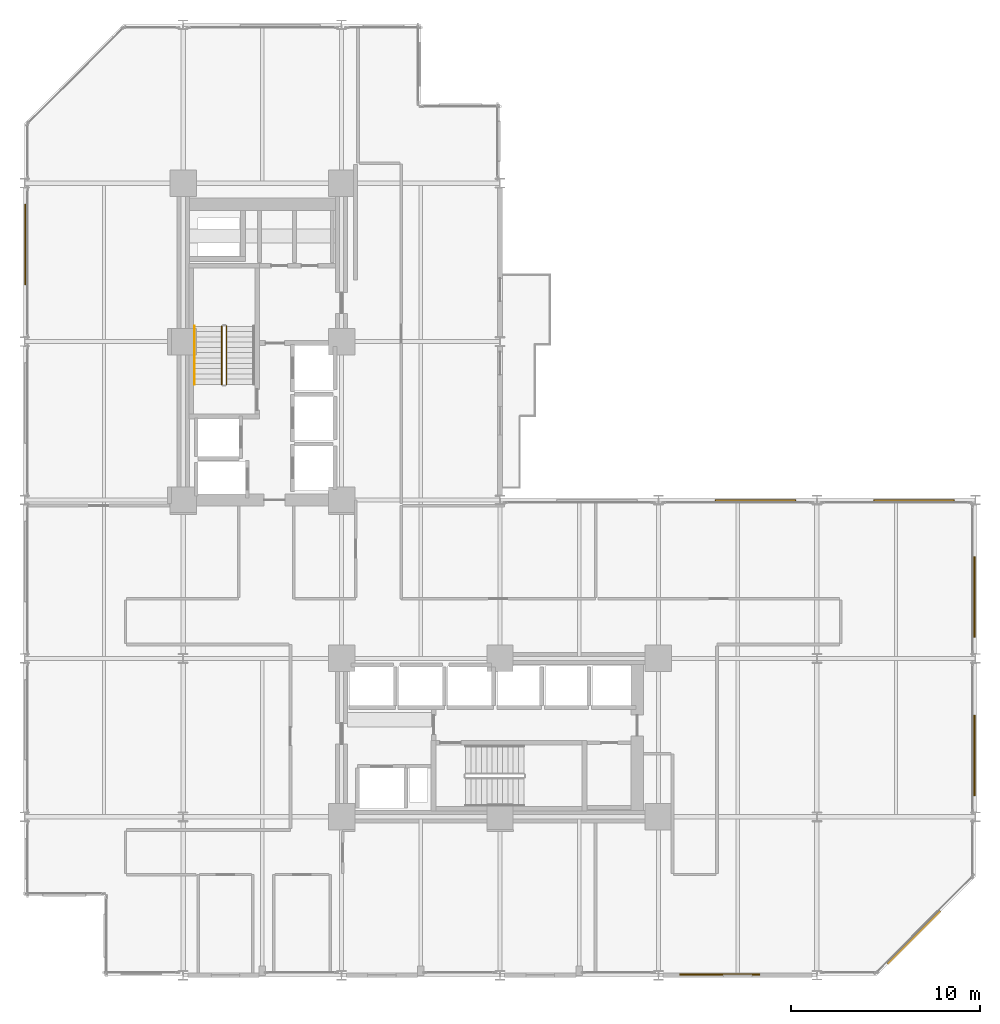
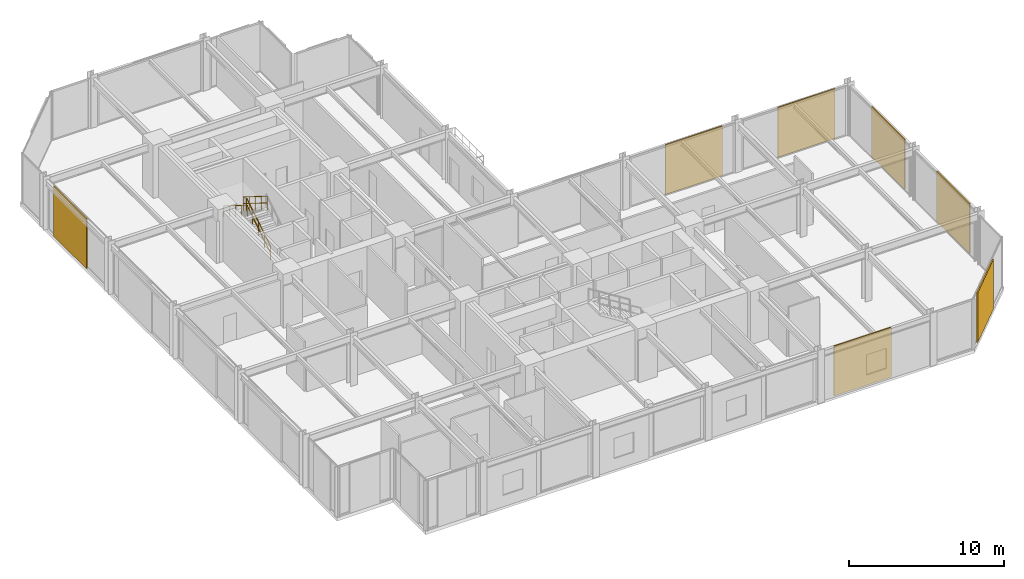
# One storey, part 23 of 24: 7 coverings, 3 railings.
"""IFC4 building model written with IfcOpenShell, lengths in metres."""

from ifc_helpers import new_model, si_unit, direction, frame, origin, origin_2d, place, context, subcontext, project, spatial, rectangle, circle, extrude, material, layer, layer_set, type_object, element, save


model = new_model("IFC4")

# Units and contexts
model_context = context("Model", 3, precision=1e-05, world=origin(), true_north=direction((0.0, 1.0)))
body_context = subcontext(model_context, "Body", "Model", "MODEL_VIEW")
ifc_project = project(units=[si_unit("LENGTHUNIT", "METRE"), si_unit("AREAUNIT", "SQUARE_METRE"), si_unit("VOLUMEUNIT", "CUBIC_METRE"), si_unit("PLANEANGLEUNIT", "RADIAN"), si_unit("MASSUNIT", "GRAM", prefix="KILO")], contexts=[model_context])

# Site, building, storey
site_placement = place(None, origin())
site = spatial("IfcSite", under=ifc_project, at=site_placement, CompositionType="ELEMENT")
building_placement = place(site_placement, origin())
building = spatial("IfcBuilding", under=site, at=building_placement, Name="Nerrivon Quay Data Exchange", CompositionType="ELEMENT")
storey_placement = place(building_placement, frame((0.0, 0.0, 45.800048828125)))
storey = spatial("IfcBuildingStorey", under=building, at=storey_placement, Name="L10", CompositionType="ELEMENT", Elevation=45.800048828125)

# Coverings
ifc_material_1 = material(Name="Architectural terracotta ceramic", Category="masonry")
ifc_layer = layer(ifc_material_1, 0.090087890625)
ifc_layer_set = layer_set([ifc_layer], Name="Architectural terracotta ceramic")
covering_type = type_object("IfcCoveringType", Name="COV-SCR-TERR", PredefinedType="CLADDING", material=ifc_layer_set)
covering_placement = place(storey_placement, frame((47.144287109375, 2.0078125, 0.0), z_axis=(0.0, 0.0, 1.0), x_axis=(-0.707106781187, -0.707106781187, 0.0)))
element("IfcCovering", 1, at=covering_placement, inside=storey, type_object=covering_type, Name="L10 Perforated Terracotta SOLAR SCREEN Cassette", PredefinedType="CLADDING", context=body_context, shape_type="SweptSolid", body=[
    extrude(rectangle(XDim=3.970947265625, YDim=0.090087890625, at=origin_2d()), origin(), (0.0, 0.0, 1.0), 3.925048828125),
])
for number, where, z_axis, x_axis, name in (
    (2, (36.85205078125, 0.044921875, 0.0), (0.0, 0.0, 1.0), (-1.0, 0.0, 0.0), "L10 Perforated Terracotta SOLAR SCREEN Cassette"),
    (3, (0.044921875, 38.748046875, 0.0), (0.0, 0.0, 1.0), (0.0, 1.0, 0.0), "L10 Perforated Terracotta SOLAR SCREEN Cassette"),
    (4, (38.748046875, 25.155029296875, 0.0), (0.0, 0.0, 1.0), (1.0, 0.0, 0.0), "L10 Perforated Terracotta SOLAR SCREEN Cassette"),
    (5, (47.14794921875, 25.155029296875, 0.0), (0.0, 0.0, 1.0), (1.0, 0.0, 0.0), "L10 Perforated Terracotta SOLAR SCREEN Cassette"),
    (6, (50.35498046875, 20.052001953125, 0.0), (0.0, 0.0, 1.0), (0.0, -1.0, 0.0), "L10 Perforated Terracotta SOLAR SCREEN Cassette"),
    (7, (50.35498046875, 11.652099609375, 0.0), (0.0, 0.0, 1.0), (0.0, -1.0, 0.0), "L10 Perforated Terracotta SOLAR SCREEN Cassette"),
):
    element("IfcCovering", number, at=place(storey_placement, frame(where, z_axis=z_axis, x_axis=x_axis)), inside=storey, type_object=covering_type, Name=name, PredefinedType="CLADDING", context=body_context, shape_type="SweptSolid", body=[
        extrude(rectangle(XDim=4.26611328125, YDim=0.090087890625, at=origin_2d()), origin(), (0.0, 0.0, 1.0), 3.925048828125),
    ])

# Railings
ifc_material_2 = material(Name="Steel Grade C350L0 (350 MPa)", Category="steel")
railing_type_1 = type_object("IfcRailingType", Name="RAIL-HAND-HR1", PredefinedType="HANDRAIL", material=ifc_material_2)
railing_1_placement = place(storey_placement, frame((9.0, 34.409912109375, 2.27490234375)))
element("IfcRailing", 8, at=railing_1_placement, inside=storey, type_object=railing_type_1, Name="L10 ST01 stair handrail 2", PredefinedType="HANDRAIL", context=body_context, shape_type="SweptSolid", body=[
    extrude(circle(Radius=0.02392578125, at=origin_2d()), frame((0.0, 0.0, 0.8759765625), z_axis=(0.0, -0.847979421464, 0.530029150871), x_axis=(1.0, 0.0, 0.0)), (0.0, 0.0, 1.0), 3.632080078125),
    extrude(circle(Radius=0.02099609375, at=origin_2d()), origin(), (0.0, 0.0, 1.0), 0.851806640625),
    extrude(circle(Radius=0.02099609375, at=origin_2d()), frame((0.0, -0.77001953125, 0.481201171875)), (0.0, 0.0, 1.0), 0.851806640625),
    extrude(circle(Radius=0.02099609375, at=origin_2d()), frame((0.0, -1.5400390625, 0.96240234375)), (0.0, 0.0, 1.0), 0.851806640625),
    extrude(circle(Radius=0.02099609375, at=origin_2d()), frame((0.0, -2.309814453125, 1.44384765625)), (0.0, 0.0, 1.0), 0.851806640625),
    extrude(circle(Radius=0.02099609375, at=origin_2d()), frame((0.0, -3.079833984375, 1.925048828125)), (0.0, 0.0, 1.0), 0.851806640625),
])
railing_type_2 = type_object("IfcRailingType", Name="RAIL-STAIR-GR1", PredefinedType="BALUSTRADE", material=ifc_material_2)
railing_2_placement = place(storey_placement, frame((10.699951171875, 31.330078125, 0.175048828125)))
element("IfcRailing", 9, at=railing_2_placement, inside=storey, type_object=railing_type_2, Name="L10 ST01 stair guard 1", PredefinedType="BALUSTRADE", context=body_context, shape_type="SweptSolid", body=[
    extrude(circle(Radius=0.02392578125, at=origin_2d()), frame((0.0, 0.0, 1.076171875), z_axis=(0.0, 0.848009633417, 0.529980812513), x_axis=(-1.0, 0.0, 0.0)), (0.0, 0.0, 1.0), 3.6318359375),
    extrude(circle(Radius=0.02392578125, at=origin_2d()), frame((0.0, 0.0, 0.550048828125), z_axis=(0.0, 0.848009633417, 0.529980812513), x_axis=(-1.0, 0.0, 0.0)), (0.0, 0.0, 1.0), 3.6318359375),
    extrude(circle(Radius=0.02099609375, at=origin_2d()), origin(), (0.0, 0.0, 1.0), 1.052001953125),
    extrude(circle(Radius=0.02099609375, at=origin_2d()), frame((0.0, 0.77001953125, 0.481201171875)), (0.0, 0.0, 1.0), 1.052001953125),
    extrude(circle(Radius=0.02099609375, at=origin_2d()), frame((0.0, 1.5400390625, 0.96240234375)), (0.0, 0.0, 1.0), 1.052001953125),
    extrude(circle(Radius=0.02099609375, at=origin_2d()), frame((0.0, 2.309814453125, 1.443603515625)), (0.0, 0.0, 1.0), 1.052001953125),
    extrude(circle(Radius=0.02099609375, at=origin_2d()), frame((0.0, 3.079833984375, 1.9248046875)), (0.0, 0.0, 1.0), 1.052001953125),
])
railing_3_placement = place(storey_placement, frame((10.449951171875, 34.409912109375, 2.27490234375)))
element("IfcRailing", 10, at=railing_3_placement, inside=storey, type_object=railing_type_2, Name="L10 ST01 stair guard 3", PredefinedType="BALUSTRADE", context=body_context, shape_type="SweptSolid", body=[
    extrude(circle(Radius=0.02392578125, at=origin_2d()), frame((0.0, 0.0, 1.076171875), z_axis=(0.0, -0.847979421464, 0.530029150871), x_axis=(1.0, 0.0, 0.0)), (0.0, 0.0, 1.0), 3.632080078125),
    extrude(circle(Radius=0.02392578125, at=origin_2d()), frame((0.0, 0.0, 0.550048828125), z_axis=(0.0, -0.847979421464, 0.530029150871), x_axis=(1.0, 0.0, 0.0)), (0.0, 0.0, 1.0), 3.632080078125),
    extrude(circle(Radius=0.02099609375, at=origin_2d()), origin(), (0.0, 0.0, 1.0), 1.052001953125),
    extrude(circle(Radius=0.02099609375, at=origin_2d()), frame((0.0, -0.77001953125, 0.481201171875)), (0.0, 0.0, 1.0), 1.052001953125),
    extrude(circle(Radius=0.02099609375, at=origin_2d()), frame((0.0, -1.5400390625, 0.96240234375)), (0.0, 0.0, 1.0), 1.052001953125),
    extrude(circle(Radius=0.02099609375, at=origin_2d()), frame((0.0, -2.309814453125, 1.44384765625)), (0.0, 0.0, 1.0), 1.052001953125),
    extrude(circle(Radius=0.02099609375, at=origin_2d()), frame((0.0, -3.079833984375, 1.925048828125)), (0.0, 0.0, 1.0), 1.052001953125),
])

save(model, "model.ifc")
